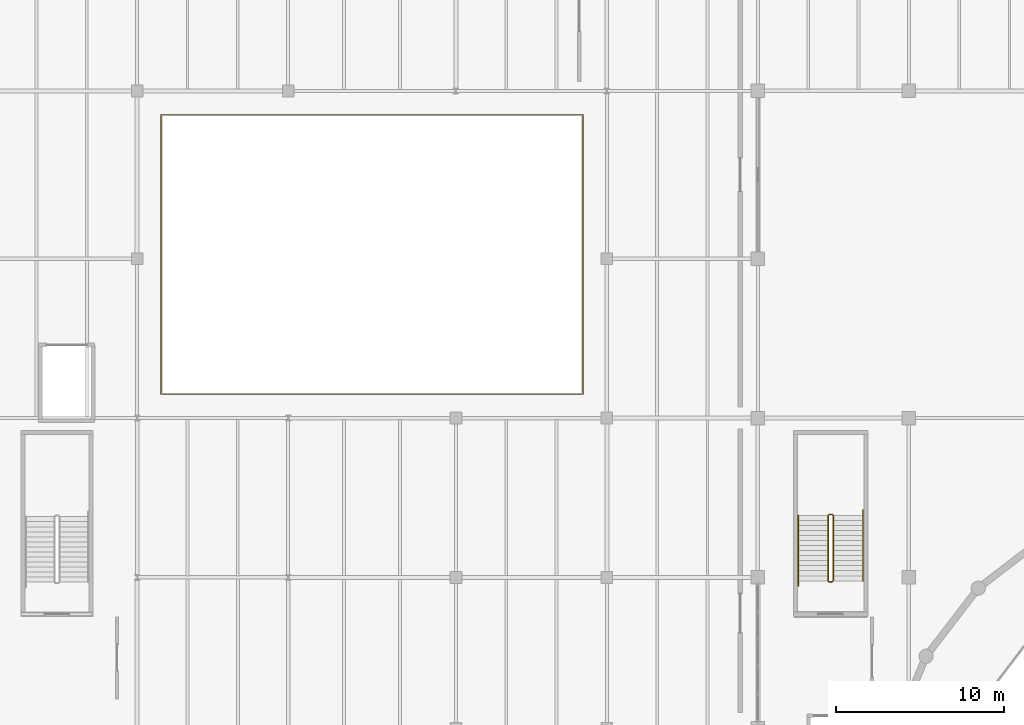
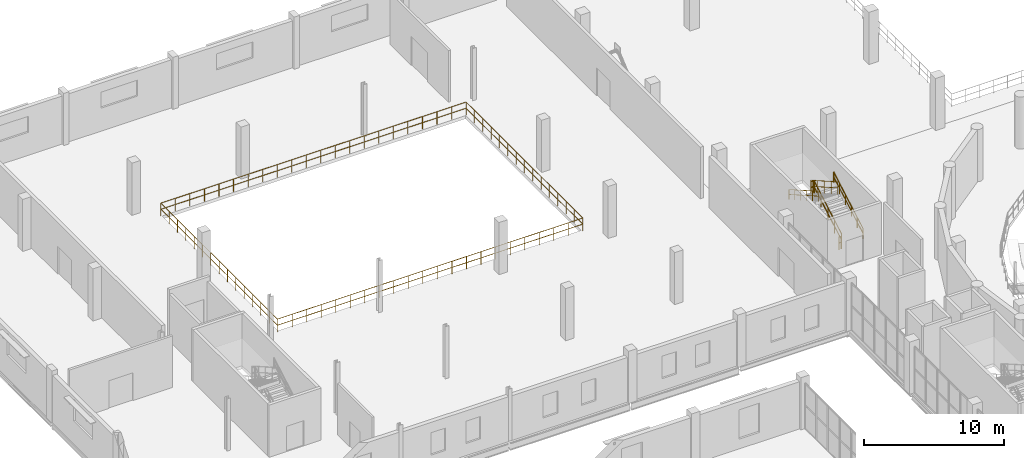
# One storey, part 89 of 93: 7 railings.
"""IFC4 building model written with IfcOpenShell, lengths in metres."""

from ifc_helpers import new_model, si_unit, direction, frame, origin, origin_2d, place, context, subcontext, project, spatial, circle, extrude, material, type_object, element, save


model = new_model("IFC4")

# Units and contexts
model_context = context("Model", 3, precision=1e-05, world=origin(), true_north=direction((0.0, 1.0)))
body_context = subcontext(model_context, "Body", "Model", "MODEL_VIEW")
ifc_project = project(units=[si_unit("LENGTHUNIT", "METRE"), si_unit("AREAUNIT", "SQUARE_METRE"), si_unit("VOLUMEUNIT", "CUBIC_METRE"), si_unit("PLANEANGLEUNIT", "RADIAN"), si_unit("MASSUNIT", "GRAM", prefix="KILO")], contexts=[model_context])

# Site, building, storey
site_placement = place(None, origin())
site = spatial("IfcSite", under=ifc_project, at=site_placement, CompositionType="ELEMENT")
building_placement = place(site_placement, origin())
building = spatial("IfcBuilding", under=site, at=building_placement, Name="Marnock Terrace Opera House", CompositionType="ELEMENT")
storey_placement = place(building_placement, frame((0.0, 0.0, 5.39990234375)))
storey = spatial("IfcBuildingStorey", under=building, at=storey_placement, Name="L01", CompositionType="ELEMENT", Elevation=5.39990234375)

# Railings
ifc_material = material(Name="Architectural bronze balustrade")
railing_type_1 = type_object("IfcRailingType", Name="RL-ATRIUM-1120", PredefinedType="BALUSTRADE", material=ifc_material)
railing_1_placement = place(storey_placement, frame((19.419921875, 85.919921875, 0.0)))
element("IfcRailing", 1, at=railing_1_placement, inside=storey, type_object=railing_type_1, Name="L01 floor opening balustrade SCENERY-VOID", PredefinedType="BALUSTRADE", context=body_context, shape_type="SweptSolid", body=[
    extrude(circle(Radius=0.02392578125, at=origin_2d()), frame((0.0, 0.0, 1.09619140625), z_axis=(1.0, 0.0, 0.0), x_axis=(0.0, 1.0, 0.0)), (0.0, 0.0, 1.0), 25.16015625),
    extrude(circle(Radius=0.02392578125, at=origin_2d()), frame((0.0, 0.0, 0.56005859375), z_axis=(1.0, 0.0, 0.0), x_axis=(0.0, 1.0, 0.0)), (0.0, 0.0, 1.0), 25.16015625),
    extrude(circle(Radius=0.02392578125, at=origin_2d()), frame((25.16015625, 0.0, 1.09619140625), z_axis=(0.0, 1.0, 0.0), x_axis=(-1.0, 0.0, 0.0)), (0.0, 0.0, 1.0), 16.66015625),
    extrude(circle(Radius=0.02392578125, at=origin_2d()), frame((25.16015625, 0.0, 0.56005859375), z_axis=(0.0, 1.0, 0.0), x_axis=(-1.0, 0.0, 0.0)), (0.0, 0.0, 1.0), 16.66015625),
    extrude(circle(Radius=0.02392578125, at=origin_2d()), frame((25.16015625, 16.66015625, 1.09619140625), z_axis=(-1.0, 0.0, 0.0), x_axis=(0.0, -1.0, 0.0)), (0.0, 0.0, 1.0), 25.16015625),
    extrude(circle(Radius=0.02392578125, at=origin_2d()), frame((25.16015625, 16.66015625, 0.56005859375), z_axis=(-1.0, 0.0, 0.0), x_axis=(0.0, -1.0, 0.0)), (0.0, 0.0, 1.0), 25.16015625),
    extrude(circle(Radius=0.02392578125, at=origin_2d()), frame((0.0, 16.66015625, 1.09619140625), z_axis=(0.0, -1.0, 0.0), x_axis=(1.0, 0.0, 0.0)), (0.0, 0.0, 1.0), 16.66015625),
    extrude(circle(Radius=0.02392578125, at=origin_2d()), frame((0.0, 16.66015625, 0.56005859375), z_axis=(0.0, -1.0, 0.0), x_axis=(1.0, 0.0, 0.0)), (0.0, 0.0, 1.0), 16.66015625),
    extrude(circle(Radius=0.02099609375, at=origin_2d()), origin(), (0.0, 0.0, 1.0), 1.072021484375),
    extrude(circle(Radius=0.02099609375, at=origin_2d()), frame((1.197998046875, 0.0, 0.0)), (0.0, 0.0, 1.0), 1.072021484375),
    extrude(circle(Radius=0.02099609375, at=origin_2d()), frame((2.396240234375, 0.0, 0.0)), (0.0, 0.0, 1.0), 1.072021484375),
    extrude(circle(Radius=0.02099609375, at=origin_2d()), frame((3.59423828125, 0.0, 0.0)), (0.0, 0.0, 1.0), 1.072021484375),
    extrude(circle(Radius=0.02099609375, at=origin_2d()), frame((4.79248046875, 0.0, 0.0)), (0.0, 0.0, 1.0), 1.072021484375),
    extrude(circle(Radius=0.02099609375, at=origin_2d()), frame((5.990478515625, 0.0, 0.0)), (0.0, 0.0, 1.0), 1.072021484375),
    extrude(circle(Radius=0.02099609375, at=origin_2d()), frame((7.188720703125, 0.0, 0.0)), (0.0, 0.0, 1.0), 1.072021484375),
    extrude(circle(Radius=0.02099609375, at=origin_2d()), frame((8.38671875, 0.0, 0.0)), (0.0, 0.0, 1.0), 1.072021484375),
    extrude(circle(Radius=0.02099609375, at=origin_2d()), frame((9.584716796875, 0.0, 0.0)), (0.0, 0.0, 1.0), 1.072021484375),
    extrude(circle(Radius=0.02099609375, at=origin_2d()), frame((10.782958984375, 0.0, 0.0)), (0.0, 0.0, 1.0), 1.072021484375),
    extrude(circle(Radius=0.02099609375, at=origin_2d()), frame((11.98095703125, 0.0, 0.0)), (0.0, 0.0, 1.0), 1.072021484375),
    extrude(circle(Radius=0.02099609375, at=origin_2d()), frame((13.17919921875, 0.0, 0.0)), (0.0, 0.0, 1.0), 1.072021484375),
    extrude(circle(Radius=0.02099609375, at=origin_2d()), frame((14.377197265625, 0.0, 0.0)), (0.0, 0.0, 1.0), 1.072021484375),
    extrude(circle(Radius=0.02099609375, at=origin_2d()), frame((15.575439453125, 0.0, 0.0)), (0.0, 0.0, 1.0), 1.072021484375),
    extrude(circle(Radius=0.02099609375, at=origin_2d()), frame((16.7734375, 0.0, 0.0)), (0.0, 0.0, 1.0), 1.072021484375),
    extrude(circle(Radius=0.02099609375, at=origin_2d()), frame((17.971435546875, 0.0, 0.0)), (0.0, 0.0, 1.0), 1.072021484375),
    extrude(circle(Radius=0.02099609375, at=origin_2d()), frame((19.169677734375, 0.0, 0.0)), (0.0, 0.0, 1.0), 1.072021484375),
    extrude(circle(Radius=0.02099609375, at=origin_2d()), frame((20.36767578125, 0.0, 0.0)), (0.0, 0.0, 1.0), 1.072021484375),
    extrude(circle(Radius=0.02099609375, at=origin_2d()), frame((21.56591796875, 0.0, 0.0)), (0.0, 0.0, 1.0), 1.072021484375),
    extrude(circle(Radius=0.02099609375, at=origin_2d()), frame((22.763916015625, 0.0, 0.0)), (0.0, 0.0, 1.0), 1.072021484375),
    extrude(circle(Radius=0.02099609375, at=origin_2d()), frame((23.962158203125, 0.0, 0.0)), (0.0, 0.0, 1.0), 1.072021484375),
    extrude(circle(Radius=0.02099609375, at=origin_2d()), frame((25.16015625, 0.0, 0.0)), (0.0, 0.0, 1.0), 1.072021484375),
    extrude(circle(Radius=0.02099609375, at=origin_2d()), frame((25.16015625, 1.18994140625, 0.0)), (0.0, 0.0, 1.0), 1.072021484375),
    extrude(circle(Radius=0.02099609375, at=origin_2d()), frame((25.16015625, 2.380126953125, 0.0)), (0.0, 0.0, 1.0), 1.072021484375),
    extrude(circle(Radius=0.02099609375, at=origin_2d()), frame((25.16015625, 3.570068359375, 0.0)), (0.0, 0.0, 1.0), 1.072021484375),
    extrude(circle(Radius=0.02099609375, at=origin_2d()), frame((25.16015625, 4.760009765625, 0.0)), (0.0, 0.0, 1.0), 1.072021484375),
    extrude(circle(Radius=0.02099609375, at=origin_2d()), frame((25.16015625, 5.949951171875, 0.0)), (0.0, 0.0, 1.0), 1.072021484375),
    extrude(circle(Radius=0.02099609375, at=origin_2d()), frame((25.16015625, 7.14013671875, 0.0)), (0.0, 0.0, 1.0), 1.072021484375),
    extrude(circle(Radius=0.02099609375, at=origin_2d()), frame((25.16015625, 8.330078125, 0.0)), (0.0, 0.0, 1.0), 1.072021484375),
    extrude(circle(Radius=0.02099609375, at=origin_2d()), frame((25.16015625, 9.52001953125, 0.0)), (0.0, 0.0, 1.0), 1.072021484375),
    extrude(circle(Radius=0.02099609375, at=origin_2d()), frame((25.16015625, 10.710205078125, 0.0)), (0.0, 0.0, 1.0), 1.072021484375),
    extrude(circle(Radius=0.02099609375, at=origin_2d()), frame((25.16015625, 11.900146484375, 0.0)), (0.0, 0.0, 1.0), 1.072021484375),
    extrude(circle(Radius=0.02099609375, at=origin_2d()), frame((25.16015625, 13.090087890625, 0.0)), (0.0, 0.0, 1.0), 1.072021484375),
    extrude(circle(Radius=0.02099609375, at=origin_2d()), frame((25.16015625, 14.280029296875, 0.0)), (0.0, 0.0, 1.0), 1.072021484375),
    extrude(circle(Radius=0.02099609375, at=origin_2d()), frame((25.16015625, 15.47021484375, 0.0)), (0.0, 0.0, 1.0), 1.072021484375),
    extrude(circle(Radius=0.02099609375, at=origin_2d()), frame((25.16015625, 16.66015625, 0.0)), (0.0, 0.0, 1.0), 1.072021484375),
    extrude(circle(Radius=0.02099609375, at=origin_2d()), frame((23.962158203125, 16.66015625, 0.0)), (0.0, 0.0, 1.0), 1.072021484375),
    extrude(circle(Radius=0.02099609375, at=origin_2d()), frame((22.763916015625, 16.66015625, 0.0)), (0.0, 0.0, 1.0), 1.072021484375),
    extrude(circle(Radius=0.02099609375, at=origin_2d()), frame((21.56591796875, 16.66015625, 0.0)), (0.0, 0.0, 1.0), 1.072021484375),
    extrude(circle(Radius=0.02099609375, at=origin_2d()), frame((20.36767578125, 16.66015625, 0.0)), (0.0, 0.0, 1.0), 1.072021484375),
    extrude(circle(Radius=0.02099609375, at=origin_2d()), frame((19.169677734375, 16.66015625, 0.0)), (0.0, 0.0, 1.0), 1.072021484375),
    extrude(circle(Radius=0.02099609375, at=origin_2d()), frame((17.971435546875, 16.66015625, 0.0)), (0.0, 0.0, 1.0), 1.072021484375),
    extrude(circle(Radius=0.02099609375, at=origin_2d()), frame((16.7734375, 16.66015625, 0.0)), (0.0, 0.0, 1.0), 1.072021484375),
    extrude(circle(Radius=0.02099609375, at=origin_2d()), frame((15.575439453125, 16.66015625, 0.0)), (0.0, 0.0, 1.0), 1.072021484375),
    extrude(circle(Radius=0.02099609375, at=origin_2d()), frame((14.377197265625, 16.66015625, 0.0)), (0.0, 0.0, 1.0), 1.072021484375),
    extrude(circle(Radius=0.02099609375, at=origin_2d()), frame((13.17919921875, 16.66015625, 0.0)), (0.0, 0.0, 1.0), 1.072021484375),
    extrude(circle(Radius=0.02099609375, at=origin_2d()), frame((11.98095703125, 16.66015625, 0.0)), (0.0, 0.0, 1.0), 1.072021484375),
    extrude(circle(Radius=0.02099609375, at=origin_2d()), frame((10.782958984375, 16.66015625, 0.0)), (0.0, 0.0, 1.0), 1.072021484375),
    extrude(circle(Radius=0.02099609375, at=origin_2d()), frame((9.584716796875, 16.66015625, 0.0)), (0.0, 0.0, 1.0), 1.072021484375),
    extrude(circle(Radius=0.02099609375, at=origin_2d()), frame((8.38671875, 16.66015625, 0.0)), (0.0, 0.0, 1.0), 1.072021484375),
    extrude(circle(Radius=0.02099609375, at=origin_2d()), frame((7.188720703125, 16.66015625, 0.0)), (0.0, 0.0, 1.0), 1.072021484375),
    extrude(circle(Radius=0.02099609375, at=origin_2d()), frame((5.990478515625, 16.66015625, 0.0)), (0.0, 0.0, 1.0), 1.072021484375),
    extrude(circle(Radius=0.02099609375, at=origin_2d()), frame((4.79248046875, 16.66015625, 0.0)), (0.0, 0.0, 1.0), 1.072021484375),
    extrude(circle(Radius=0.02099609375, at=origin_2d()), frame((3.59423828125, 16.66015625, 0.0)), (0.0, 0.0, 1.0), 1.072021484375),
    extrude(circle(Radius=0.02099609375, at=origin_2d()), frame((2.396240234375, 16.66015625, 0.0)), (0.0, 0.0, 1.0), 1.072021484375),
    extrude(circle(Radius=0.02099609375, at=origin_2d()), frame((1.197998046875, 16.66015625, 0.0)), (0.0, 0.0, 1.0), 1.072021484375),
    extrude(circle(Radius=0.02099609375, at=origin_2d()), frame((0.0, 16.66015625, 0.0)), (0.0, 0.0, 1.0), 1.072021484375),
    extrude(circle(Radius=0.02099609375, at=origin_2d()), frame((0.0, 15.47021484375, 0.0)), (0.0, 0.0, 1.0), 1.072021484375),
    extrude(circle(Radius=0.02099609375, at=origin_2d()), frame((0.0, 14.280029296875, 0.0)), (0.0, 0.0, 1.0), 1.072021484375),
    extrude(circle(Radius=0.02099609375, at=origin_2d()), frame((0.0, 13.090087890625, 0.0)), (0.0, 0.0, 1.0), 1.072021484375),
    extrude(circle(Radius=0.02099609375, at=origin_2d()), frame((0.0, 11.900146484375, 0.0)), (0.0, 0.0, 1.0), 1.072021484375),
    extrude(circle(Radius=0.02099609375, at=origin_2d()), frame((0.0, 10.710205078125, 0.0)), (0.0, 0.0, 1.0), 1.072021484375),
    extrude(circle(Radius=0.02099609375, at=origin_2d()), frame((0.0, 9.52001953125, 0.0)), (0.0, 0.0, 1.0), 1.072021484375),
    extrude(circle(Radius=0.02099609375, at=origin_2d()), frame((0.0, 8.330078125, 0.0)), (0.0, 0.0, 1.0), 1.072021484375),
    extrude(circle(Radius=0.02099609375, at=origin_2d()), frame((0.0, 7.14013671875, 0.0)), (0.0, 0.0, 1.0), 1.072021484375),
    extrude(circle(Radius=0.02099609375, at=origin_2d()), frame((0.0, 5.949951171875, 0.0)), (0.0, 0.0, 1.0), 1.072021484375),
    extrude(circle(Radius=0.02099609375, at=origin_2d()), frame((0.0, 4.760009765625, 0.0)), (0.0, 0.0, 1.0), 1.072021484375),
    extrude(circle(Radius=0.02099609375, at=origin_2d()), frame((0.0, 3.570068359375, 0.0)), (0.0, 0.0, 1.0), 1.072021484375),
    extrude(circle(Radius=0.02099609375, at=origin_2d()), frame((0.0, 2.380126953125, 0.0)), (0.0, 0.0, 1.0), 1.072021484375),
    extrude(circle(Radius=0.02099609375, at=origin_2d()), frame((0.0, 1.18994140625, 0.0)), (0.0, 0.0, 1.0), 1.072021484375),
])
railing_type_2 = type_object("IfcRailingType", Name="RL-GUARD-1100", PredefinedType="GUARDRAIL", material=ifc_material)
railing_2_placement = place(storey_placement, frame((59.489990234375, 74.800048828125, 0.171630859375)))
element("IfcRailing", 2, at=railing_2_placement, inside=storey, type_object=railing_type_2, Name="L01 ST-03 stair guard 1", PredefinedType="GUARDRAIL", context=body_context, shape_type="SweptSolid", body=[
    extrude(circle(Radius=0.02392578125, at=origin_2d()), frame((0.0, 0.0, 1.076171875), z_axis=(0.0, 0.868243142124, 0.496138938357), x_axis=(-1.0, 0.0, 0.0)), (0.0, 0.0, 1.0), 4.49169921875),
    extrude(circle(Radius=0.02392578125, at=origin_2d()), frame((0.0, 0.0, 0.550048828125), z_axis=(0.0, 0.868243142124, 0.496138938357), x_axis=(-1.0, 0.0, 0.0)), (0.0, 0.0, 1.0), 4.49169921875),
    extrude(circle(Radius=0.02099609375, at=origin_2d()), origin(), (0.0, 0.0, 1.0), 1.052001953125),
    extrude(circle(Radius=0.02099609375, at=origin_2d()), frame((0.0, 0.97509765625, 0.55712890625)), (0.0, 0.0, 1.0), 1.052001953125),
    extrude(circle(Radius=0.02099609375, at=origin_2d()), frame((0.0, 1.949951171875, 1.1142578125)), (0.0, 0.0, 1.0), 1.052001953125),
    extrude(circle(Radius=0.02099609375, at=origin_2d()), frame((0.0, 2.9248046875, 1.67138671875)), (0.0, 0.0, 1.0), 1.052001953125),
    extrude(circle(Radius=0.02099609375, at=origin_2d()), frame((0.0, 3.89990234375, 2.228515625)), (0.0, 0.0, 1.0), 1.052001953125),
])
railing_3_placement = place(storey_placement, frame((59.43994140625, 78.75, 2.400146484375)))
element("IfcRailing", 3, at=railing_3_placement, inside=storey, type_object=railing_type_2, Name="L01 ST-03 stair guard 2", PredefinedType="GUARDRAIL", context=body_context, shape_type="SweptSolid", body=[
    extrude(circle(Radius=0.02392578125, at=origin_2d()), frame((0.0, 0.0, 1.076171875), z_axis=(-1.0, 0.0, 0.0), x_axis=(0.0, -1.0, 0.0)), (0.0, 0.0, 1.0), 0.199951171875),
    extrude(circle(Radius=0.02392578125, at=origin_2d()), frame((0.0, 0.0, 0.550048828125), z_axis=(-1.0, 0.0, 0.0), x_axis=(0.0, -1.0, 0.0)), (0.0, 0.0, 1.0), 0.199951171875),
    extrude(circle(Radius=0.02099609375, at=origin_2d()), origin(), (0.0, 0.0, 1.0), 1.052001953125),
    extrude(circle(Radius=0.02099609375, at=origin_2d()), frame((-0.199951171875, 0.0, 0.0)), (0.0, 0.0, 1.0), 1.052001953125),
])
railing_4_placement = place(storey_placement, frame((59.18994140625, 78.699951171875, 2.571533203125)))
element("IfcRailing", 4, at=railing_4_placement, inside=storey, type_object=railing_type_2, Name="L01 ST-03 stair guard 3", PredefinedType="GUARDRAIL", context=body_context, shape_type="SweptSolid", body=[
    extrude(circle(Radius=0.02392578125, at=origin_2d()), frame((0.0, 0.0, 1.076171875), z_axis=(0.0, -0.868243142124, 0.496138938357), x_axis=(1.0, 0.0, 0.0)), (0.0, 0.0, 1.0), 4.49169921875),
    extrude(circle(Radius=0.02392578125, at=origin_2d()), frame((0.0, 0.0, 0.550048828125), z_axis=(0.0, -0.868243142124, 0.496138938357), x_axis=(1.0, 0.0, 0.0)), (0.0, 0.0, 1.0), 4.49169921875),
    extrude(circle(Radius=0.02099609375, at=origin_2d()), origin(), (0.0, 0.0, 1.0), 1.052001953125),
    extrude(circle(Radius=0.02099609375, at=origin_2d()), frame((0.0, -0.97509765625, 0.55712890625)), (0.0, 0.0, 1.0), 1.052001953125),
    extrude(circle(Radius=0.02099609375, at=origin_2d()), frame((0.0, -1.949951171875, 1.1142578125)), (0.0, 0.0, 1.0), 1.052001953125),
    extrude(circle(Radius=0.02099609375, at=origin_2d()), frame((0.0, -2.9248046875, 1.67138671875)), (0.0, 0.0, 1.0), 1.052001953125),
    extrude(circle(Radius=0.02099609375, at=origin_2d()), frame((0.0, -3.89990234375, 2.228515625)), (0.0, 0.0, 1.0), 1.052001953125),
])
railing_5_placement = place(storey_placement, frame((59.43994140625, 74.75, 0.0)))
element("IfcRailing", 5, at=railing_5_placement, inside=storey, type_object=railing_type_2, Name="L01 ST-03 stair guard 4", PredefinedType="GUARDRAIL", context=body_context, shape_type="SweptSolid", body=[
    extrude(circle(Radius=0.02392578125, at=origin_2d()), frame((0.0, 0.0, 1.076171875), z_axis=(-1.0, 0.0, 0.0), x_axis=(0.0, -1.0, 0.0)), (0.0, 0.0, 1.0), 0.199951171875),
    extrude(circle(Radius=0.02392578125, at=origin_2d()), frame((0.0, 0.0, 0.550048828125), z_axis=(-1.0, 0.0, 0.0), x_axis=(0.0, -1.0, 0.0)), (0.0, 0.0, 1.0), 0.199951171875),
    extrude(circle(Radius=0.02099609375, at=origin_2d()), origin(), (0.0, 0.0, 1.0), 1.052001953125),
    extrude(circle(Radius=0.02099609375, at=origin_2d()), frame((-0.199951171875, 0.0, 0.0)), (0.0, 0.0, 1.0), 1.052001953125),
])
railing_type_3 = type_object("IfcRailingType", Name="RL-HAND-900", PredefinedType="HANDRAIL", material=ifc_material)
railing_6_placement = place(storey_placement, frame((61.27001953125, 74.800048828125, 0.18359375)))
element("IfcRailing", 6, at=railing_6_placement, inside=storey, type_object=railing_type_3, Name="L01 ST-03 stair handrail 1", PredefinedType="HANDRAIL", context=body_context, shape_type="SweptSolid", body=[
    extrude(circle(Radius=0.02392578125, at=origin_2d()), frame((0.0, 0.0, 0.8759765625), z_axis=(0.0, 0.868249353848, 0.496128067682), x_axis=(-1.0, 0.0, 0.0)), (0.0, 0.0, 1.0), 4.837158203125),
    extrude(circle(Radius=0.02392578125, at=origin_2d()), frame((0.0, 0.0, 0.449951171875), z_axis=(0.0, 0.868249353848, 0.496128067682), x_axis=(-1.0, 0.0, 0.0)), (0.0, 0.0, 1.0), 4.837158203125),
    extrude(circle(Radius=0.02099609375, at=origin_2d()), origin(), (0.0, 0.0, 1.0), 0.851806640625),
    extrude(circle(Radius=0.02099609375, at=origin_2d()), frame((0.0, 0.840087890625, 0.47998046875)), (0.0, 0.0, 1.0), 0.851806640625),
    extrude(circle(Radius=0.02099609375, at=origin_2d()), frame((0.0, 1.679931640625, 0.9599609375)), (0.0, 0.0, 1.0), 0.851806640625),
    extrude(circle(Radius=0.02099609375, at=origin_2d()), frame((0.0, 2.52001953125, 1.43994140625)), (0.0, 0.0, 1.0), 0.851806640625),
    extrude(circle(Radius=0.02099609375, at=origin_2d()), frame((0.0, 3.35986328125, 1.919921875)), (0.0, 0.0, 1.0), 0.851806640625),
    extrude(circle(Radius=0.02099609375, at=origin_2d()), frame((0.0, 4.199951171875, 2.39990234375)), (0.0, 0.0, 1.0), 0.851806640625),
])
railing_7_placement = place(storey_placement, frame((57.409912109375, 78.699951171875, 2.58349609375)))
element("IfcRailing", 7, at=railing_7_placement, inside=storey, type_object=railing_type_3, Name="L01 ST-03 stair handrail 2", PredefinedType="HANDRAIL", context=body_context, shape_type="SweptSolid", body=[
    extrude(circle(Radius=0.02392578125, at=origin_2d()), frame((0.0, 0.0, 0.8759765625), z_axis=(0.0, -0.868227612608, 0.496166114024), x_axis=(1.0, 0.0, 0.0)), (0.0, 0.0, 1.0), 4.83740234375),
    extrude(circle(Radius=0.02392578125, at=origin_2d()), frame((0.0, 0.0, 0.449951171875), z_axis=(0.0, -0.868227612608, 0.496166114024), x_axis=(1.0, 0.0, 0.0)), (0.0, 0.0, 1.0), 4.83740234375),
    extrude(circle(Radius=0.02099609375, at=origin_2d()), origin(), (0.0, 0.0, 1.0), 0.851806640625),
    extrude(circle(Radius=0.02099609375, at=origin_2d()), frame((0.0, -0.840087890625, 0.47998046875)), (0.0, 0.0, 1.0), 0.851806640625),
    extrude(circle(Radius=0.02099609375, at=origin_2d()), frame((0.0, -1.679931640625, 0.9599609375)), (0.0, 0.0, 1.0), 0.851806640625),
    extrude(circle(Radius=0.02099609375, at=origin_2d()), frame((0.0, -2.52001953125, 1.440185546875)), (0.0, 0.0, 1.0), 0.851806640625),
    extrude(circle(Radius=0.02099609375, at=origin_2d()), frame((0.0, -3.35986328125, 1.920166015625)), (0.0, 0.0, 1.0), 0.851806640625),
    extrude(circle(Radius=0.02099609375, at=origin_2d()), frame((0.0, -4.199951171875, 2.400146484375)), (0.0, 0.0, 1.0), 0.851806640625),
])

save(model, "model.ifc")
